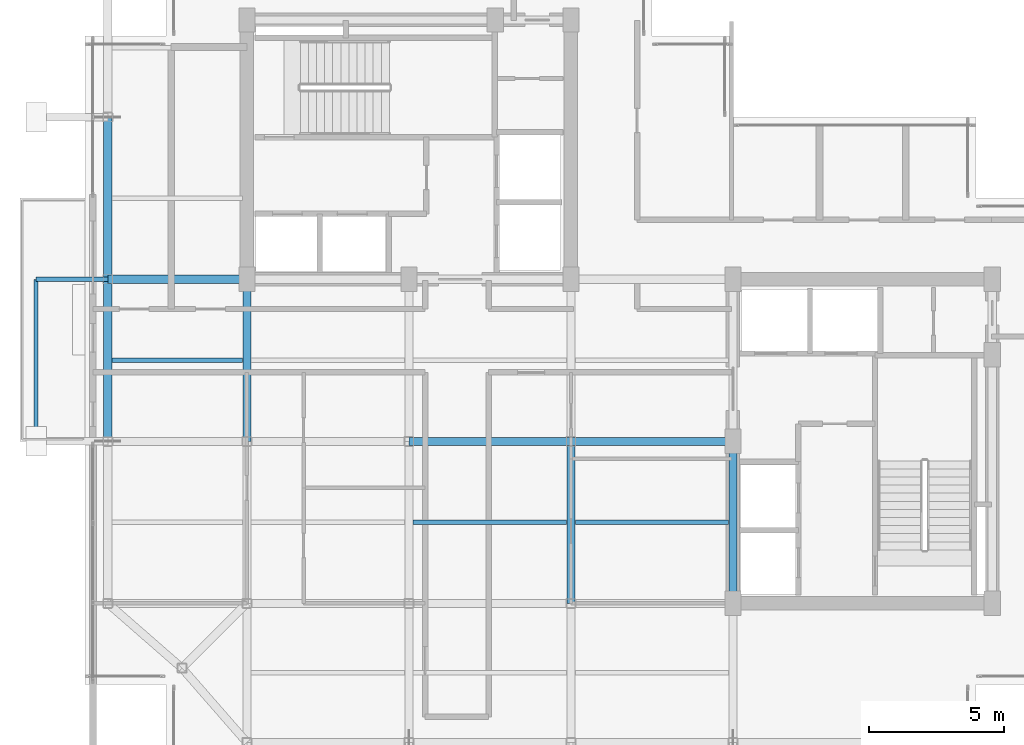
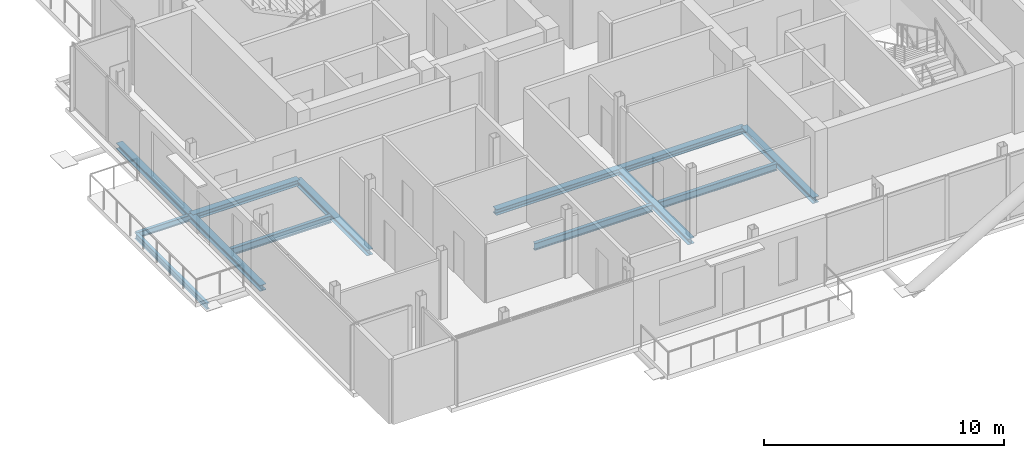
# One storey, part 6 of 19: 13 beams.
"""IFC4 building model written with IfcOpenShell, lengths in metres."""

import ifcopenshell
import ifcopenshell.guid

model = None  # the IFC model being written
_history = None  # IfcOwnerHistory: only IFC2X3 demands one
_inside = {}  # id of a spatial element -> (the spatial element, [elements in it])
_under = {}  # id of a project, library or spatial element -> (it, [spatial elements below it])
_declared = {}  # id of a project -> (the project, [libraries it declares])
_typed = {}  # id of a type object -> (the type object, [elements of that type])
_made_of = {}  # id of a material, layer set ... -> (it, [elements and type objects made of it])


def new_model(schema):
    """Start an empty IFC model of exactly this schema.

    Asked for "IFC4X3", IfcOpenShell would pick the latest addendum, in which some entities
    have other attributes; the version numbers below select the first issue.
    IFC2X3 requires an IfcOwnerHistory on every rooted entity: one is made here for all.
    """
    global model, _history
    if schema == "IFC4X3":
        model = ifcopenshell.file(schema_version=(4, 3, 0, 0))
    else:
        model = ifcopenshell.file(schema=schema)
    _inside.clear()
    _under.clear()
    _declared.clear()
    _typed.clear()
    _made_of.clear()
    _history = None
    if model.schema == "IFC2X3":
        org = make("IfcOrganization", Name="unknown")
        user = make(
            "IfcPersonAndOrganization",
            ThePerson=make("IfcPerson", FamilyName="unknown"),
            TheOrganization=org,
        )
        app = make(
            "IfcApplication",
            ApplicationDeveloper=org,
            Version="unknown",
            ApplicationFullName="unknown",
            ApplicationIdentifier="unknown",
        )
        _history = make(
            "IfcOwnerHistory",
            OwningUser=user,
            OwningApplication=app,
            ChangeAction="ADDED",
            CreationDate=0,
        )
    return model


def make(cls, **values):
    """One entity of the class cls with the attributes given. An attribute that is None is left unset."""
    return model.create_entity(
        cls, **{name: value for name, value in values.items() if value is not None}
    )


def rooted(cls, **values):
    """An entity with a GlobalId (a new one), such as an element, a storey or a relation."""
    return make(cls, GlobalId=ifcopenshell.guid.new(), OwnerHistory=_history, **values)


def si_unit(unit_type, name, prefix=None):
    """IfcSIUnit, for example si_unit("LENGTHUNIT", "METRE", prefix="MILLI")."""
    return make("IfcSIUnit", UnitType=unit_type, Prefix=prefix, Name=name)


def assignment(units):
    """IfcUnitAssignment: the units of a project."""
    return None if units is None else make("IfcUnitAssignment", Units=units)


def point(xyz):
    """IfcCartesianPoint."""
    return None if xyz is None else make("IfcCartesianPoint", Coordinates=xyz)


def direction(xyz):
    """IfcDirection."""
    return None if xyz is None else make("IfcDirection", DirectionRatios=xyz)


def frame(location, z_axis=None, x_axis=None):
    """IfcAxis2Placement3D, a coordinate frame: its origin and axes. An axis left out is left unset."""
    return make(
        "IfcAxis2Placement3D",
        Location=point(location),
        Axis=direction(z_axis),
        RefDirection=direction(x_axis),
    )


def frame_2d(location, x_axis=None):
    """IfcAxis2Placement2D, a coordinate frame in the plane: its origin and x axis."""
    return make(
        "IfcAxis2Placement2D", Location=point(location), RefDirection=direction(x_axis)
    )


def origin():
    """The frame at (0, 0, 0) with its axes left unset."""
    return frame((0.0, 0.0, 0.0))


def origin_2d():
    """The frame at (0, 0) in the plane with its x axis left unset."""
    return frame_2d((0.0, 0.0))


def place(relative_to, where):
    """IfcLocalPlacement: puts the frame where relative to a parent placement (None: the world)."""
    return make(
        "IfcLocalPlacement", PlacementRelTo=relative_to, RelativePlacement=where
    )


def context(
    kind, dimensions, precision=None, world=None, true_north=None, identifier=None
):
    """IfcGeometricRepresentationContext, for example the 3D "Model" context."""
    return make(
        "IfcGeometricRepresentationContext",
        ContextIdentifier=identifier,
        ContextType=kind,
        CoordinateSpaceDimension=dimensions,
        Precision=precision,
        WorldCoordinateSystem=world,
        TrueNorth=true_north,
    )


def subcontext(parent, identifier, kind, view, scale=None):
    """IfcGeometricRepresentationSubContext, for example "Body" below "Model"."""
    return make(
        "IfcGeometricRepresentationSubContext",
        ContextIdentifier=identifier,
        ContextType=kind,
        ParentContext=parent,
        TargetScale=scale,
        TargetView=view,
    )


def project(units=None, contexts=None):
    """IfcProject with its units and contexts."""
    return rooted(
        "IfcProject",
        Name="project",
        RepresentationContexts=contexts,
        UnitsInContext=assignment(units),
    )


def spatial(cls, under=None, at=None, **own):
    """A site, building, storey or space (cls), placed at a placement, below another one or the project."""
    s = rooted(cls, ObjectPlacement=at, **own)
    if under is not None:
        _under.setdefault(under.id(), (under, []))[1].append(s)
    return s


def profile(cls, at=None, kind="AREA", **sizes):
    """A parametric profile (cls). Its sizes go by their IFC names, for example OverallWidth=200.0."""
    return make(cls, ProfileType=kind, Position=at, **sizes)


def i_section(**sizes):
    """IfcIShapeProfileDef."""
    return profile("IfcIShapeProfileDef", **sizes)


def extrude(swept, where, along, depth):
    """IfcExtrudedAreaSolid: the profile swept, set in the frame where, extruded along a direction by depth."""
    return make(
        "IfcExtrudedAreaSolid",
        SweptArea=swept,
        Position=where,
        ExtrudedDirection=direction(along),
        Depth=depth,
    )


def shape(context_of_items, identifier, shape_type, items):
    """IfcShapeRepresentation: the items that make up one representation, for example the "Body"."""
    return make(
        "IfcShapeRepresentation",
        ContextOfItems=context_of_items,
        RepresentationIdentifier=identifier,
        RepresentationType=shape_type,
        Items=items,
    )


def material(Name=None, Category=None):
    """IfcMaterial."""
    return make("IfcMaterial", Name=Name, Category=Category)


def material_profile(
    of_material, cross_section, Name=None, Category=None, Priority=None
):
    """IfcMaterialProfile: a cross section and its material."""
    return make(
        "IfcMaterialProfile",
        Name=Name,
        Material=of_material,
        Profile=cross_section,
        Priority=Priority,
        Category=Category,
    )


def profile_set(profiles, Name=None, composite=None):
    """IfcMaterialProfileSet."""
    return make(
        "IfcMaterialProfileSet",
        Name=Name,
        MaterialProfiles=profiles,
        CompositeProfile=composite,
    )


def made_of(thing, what):
    """Note that an element or type object is made of a material, layer set ...; save() writes the relation."""
    if what is not None:
        _made_of.setdefault(what.id(), (what, []))[1].append(thing)
    return thing


def type_object(cls, material=None, **own):
    """A type object (cls), such as IfcWallType, which elements share."""
    return made_of(rooted(cls, **own), material)


def element(
    cls,
    number,
    at=None,
    inside=None,
    cuts=None,
    type_object=None,
    material=None,
    context=None,
    identifier="Body",
    shape_type=None,
    held_by="IfcProductDefinitionShape",
    body=None,
    shapes=None,
    **own,
):
    """One element of the class cls, such as IfcWall. Its Tag is "e" and its number.

    at: its placement. inside: the storey or other place that contains it. cuts: it is an
    opening in that element (IfcRelVoidsElement). A single representation is given by context,
    identifier, shape_type and body (its items); several are given by shapes. held_by: the class
    of the entity that holds the representations. save() writes the other relations.
    """
    e = rooted(cls, Tag="e%d" % number, ObjectPlacement=at, **own)
    if body is not None:
        shapes = [shape(context, identifier, shape_type, body)]
    if shapes is not None:
        e.Representation = make(held_by, Representations=shapes)
    if inside is not None:
        _inside.setdefault(inside.id(), (inside, []))[1].append(e)
    if cuts is not None:
        rooted(
            "IfcRelVoidsElement", RelatingBuildingElement=cuts, RelatedOpeningElement=e
        )
    if type_object is not None:
        _typed.setdefault(type_object.id(), (type_object, []))[1].append(e)
    return made_of(e, material)


def aggregate(whole, parts):
    """IfcRelAggregates: a whole, such as a stair, and the parts it consists of."""
    return rooted("IfcRelAggregates", RelatingObject=whole, RelatedObjects=parts)


def save(model, path):
    """Write the relations noted so far, then the file.

    IfcRelAggregates (storeys below a building ...), IfcRelContainedInSpatialStructure (elements
    in a storey), IfcRelDefinesByType, IfcRelAssociatesMaterial and IfcRelDeclares: one each for
    every whole, place, type object, material and project.
    """
    for whole, parts in _under.values():
        aggregate(whole, parts)
    for where, things in _inside.values():
        rooted(
            "IfcRelContainedInSpatialStructure",
            RelatedElements=things,
            RelatingStructure=where,
        )
    for kind, things in _typed.values():
        rooted("IfcRelDefinesByType", RelatedObjects=things, RelatingType=kind)
    for what, things in _made_of.values():
        rooted("IfcRelAssociatesMaterial", RelatedObjects=things, RelatingMaterial=what)
    for by, libraries in _declared.values():
        rooted("IfcRelDeclares", RelatingContext=by, RelatedDefinitions=libraries)
    model.write(path)


model = new_model("IFC4")

# Units and contexts
model_context = context("Model", 3, precision=1e-05, world=origin(), true_north=direction((0.0, 1.0)))
body_context = subcontext(model_context, "Body", "Model", "MODEL_VIEW")
ifc_project = project(units=[si_unit("LENGTHUNIT", "METRE"), si_unit("AREAUNIT", "SQUARE_METRE"), si_unit("VOLUMEUNIT", "CUBIC_METRE"), si_unit("PLANEANGLEUNIT", "RADIAN"), si_unit("MASSUNIT", "GRAM", prefix="KILO"), si_unit("THERMODYNAMICTEMPERATUREUNIT", "KELVIN"), si_unit("POWERUNIT", "WATT")], contexts=[model_context])

# Site, building, storey
site_placement = place(None, origin())
site = spatial("IfcSite", under=ifc_project, at=site_placement, CompositionType="ELEMENT")
building_placement = place(site_placement, origin())
building = spatial("IfcBuilding", under=site, at=building_placement, Name="Svarakhadi Broadcast Tower", CompositionType="ELEMENT")
storey_placement = place(building_placement, frame((0.0, 0.0, 239.699951171875)))
storey = spatial("IfcBuildingStorey", under=building, at=storey_placement, Name="L59", CompositionType="ELEMENT", Elevation=239.699951171875)

# Beams
ifc_material = material(Name="Steel S355J2 (IS 2062 E350C)", Category="steel")
ifc_material_profile_1 = material_profile(ifc_material, i_section(OverallWidth=0.169921875, OverallDepth=0.360107421875, WebThickness=0.008056640625, FlangeThickness=0.0126953125, FilletRadius=0.01806640625, at=origin_2d()), Name="NPB 360x170x57")
ifc_profile_set_1 = profile_set([ifc_material_profile_1], Name="Steel S355J2 (IS 2062 E350C)")
beam_type_1 = type_object("IfcBeamType", Name="Beam_NPB360", PredefinedType="BEAM", material=ifc_profile_set_1)
beam_1_placement = place(storey_placement, frame((1.010009765625, 15.0, -0.3798828125), z_axis=(1.0, 0.0, 0.0), x_axis=(0.0, 1.0, 0.0)))
element("IfcBeam", 1, at=beam_1_placement, inside=storey, type_object=beam_type_1, Name="L59 Secondary Composite Beam SB002", PredefinedType="BEAM", context=body_context, shape_type="SweptSolid", body=[
    extrude(i_section(OverallWidth=0.169921875, OverallDepth=0.360107421875, WebThickness=0.008056640625, FlangeThickness=0.0126953125, FilletRadius=0.01806640625, at=origin_2d()), origin(), (0.0, 0.0, 1.0), 4.830078125),
])
for number, where, z_axis, x_axis, name in (
    (2, (12.159912109375, 9.0, -0.3798828125), (1.0, 0.0, 0.0), (0.0, 1.0, 0.0), "L59 Secondary Composite Beam SB009"),
    (3, (18.159912109375, 9.0, -0.3798828125), (1.0, 0.0, 0.0), (0.0, 1.0, 0.0), "L59 Secondary Composite Beam SB012"),
):
    element("IfcBeam", number, at=place(storey_placement, frame(where, z_axis=z_axis, x_axis=x_axis)), inside=storey, type_object=beam_type_1, Name=name, PredefinedType="BEAM", context=body_context, shape_type="SweptSolid", body=[
        extrude(i_section(OverallWidth=0.169921875, OverallDepth=0.360107421875, WebThickness=0.008056640625, FlangeThickness=0.0126953125, FilletRadius=0.01806640625, at=origin_2d()), origin(), (0.0, 0.0, 1.0), 5.68017578125),
    ])
ifc_material_profile_2 = material_profile(ifc_material, i_section(OverallWidth=0.300048828125, OverallDepth=0.300048828125, WebThickness=0.010986328125, FlangeThickness=0.01904296875, FilletRadius=0.027099609375, at=origin_2d()), Name="WPB 300x300x117")
ifc_profile_set_2 = profile_set([ifc_material_profile_2], Name="Steel S355J2 (IS 2062 E350C)")
beam_type_2 = type_object("IfcBeamType", Name="Girder_WPB300", PredefinedType="USERDEFINED", material=ifc_profile_set_2)
for number, where, z_axis, x_axis, name in (
    (4, (12.0, 12.0, -0.349853515625), (1.0, 0.0, 0.0), (0.0, 1.0, 0.0), "L59 Primary E-W Girder G016"),
    (5, (18.0, 12.0, -0.349853515625), (1.0, 0.0, 0.0), (0.0, 1.0, 0.0), "L59 Primary E-W Girder G017"),
):
    element("IfcBeam", number, at=place(storey_placement, frame(where, z_axis=z_axis, x_axis=x_axis)), inside=storey, type_object=beam_type_2, Name=name, ObjectType="GIRDER", PredefinedType="USERDEFINED", context=body_context, shape_type="SweptSolid", body=[
        extrude(i_section(OverallWidth=0.300048828125, OverallDepth=0.300048828125, WebThickness=0.010986328125, FlangeThickness=0.01904296875, FilletRadius=0.027099609375, at=origin_2d()), origin(), (0.0, 0.0, 1.0), 6.0),
    ])
beam_2_placement = place(storey_placement, frame((0.85009765625, 18.0, -0.349853515625), z_axis=(1.0, 0.0, 0.0), x_axis=(0.0, 1.0, 0.0)))
element("IfcBeam", 6, at=beam_2_placement, inside=storey, type_object=beam_type_2, Name="L59 Primary E-W Girder G018", ObjectType="GIRDER", PredefinedType="USERDEFINED", context=body_context, shape_type="SweptSolid", body=[
    extrude(i_section(OverallWidth=0.300048828125, OverallDepth=0.300048828125, WebThickness=0.010986328125, FlangeThickness=0.01904296875, FilletRadius=0.027099609375, at=origin_2d()), origin(), (0.0, 0.0, 1.0), 5.14990234375),
])
for number, where, z_axis, x_axis, name in (
    (7, (0.85009765625, 12.0, -0.349853515625), (0.0, 1.0, 0.0), (-1.0, 0.0, 0.0), "L59 Primary N-S Girder G029"),
    (8, (0.85009765625, 18.0, -0.349853515625), (0.0, 1.0, 0.0), (-1.0, 0.0, 0.0), "L59 Primary N-S Girder G030"),
    (9, (6.0, 12.0, -0.349853515625), (0.0, 1.0, 0.0), (-1.0, 0.0, 0.0), "L59 Primary N-S Girder G034"),
    (10, (18.0, 6.0, -0.349853515625), (0.0, 1.0, 0.0), (-1.0, 0.0, 0.0), "L59 Primary N-S Girder G040"),
    (11, (24.0, 6.0, -0.349853515625), (0.0, 1.0, 0.0), (-1.0, 0.0, 0.0), "L59 Primary N-S Girder G044"),
):
    element("IfcBeam", number, at=place(storey_placement, frame(where, z_axis=z_axis, x_axis=x_axis)), inside=storey, type_object=beam_type_2, Name=name, ObjectType="GIRDER", PredefinedType="USERDEFINED", context=body_context, shape_type="SweptSolid", body=[
        extrude(i_section(OverallWidth=0.300048828125, OverallDepth=0.300048828125, WebThickness=0.010986328125, FlangeThickness=0.01904296875, FilletRadius=0.027099609375, at=origin_2d()), origin(), (0.0, 0.0, 1.0), 6.0),
    ])
ifc_material_profile_3 = material_profile(ifc_material, i_section(OverallWidth=0.14990234375, OverallDepth=0.300048828125, WebThickness=0.007080078125, FlangeThickness=0.0107421875, FilletRadius=0.014892578125, at=origin_2d()), Name="NPB 300x150x37")
ifc_profile_set_3 = profile_set([ifc_material_profile_3], Name="Steel S355J2 (IS 2062 E350C)")
beam_type_3 = type_object("IfcBeamType", Name="Spandrel_NPB300", PredefinedType="SPANDREL", material=ifc_profile_set_3)
beam_3_placement = place(storey_placement, frame((0.85009765625, 18.0, -0.375), z_axis=(-1.0, 0.0, 0.0), x_axis=(0.0, -1.0, 0.0)))
element("IfcBeam", 12, at=beam_3_placement, inside=storey, type_object=beam_type_3, Name="L59 Balcony Cantilever Bracket 2B", PredefinedType="SPANDREL", context=body_context, shape_type="SweptSolid", body=[
    extrude(i_section(OverallWidth=0.14990234375, OverallDepth=0.300048828125, WebThickness=0.007080078125, FlangeThickness=0.0107421875, FilletRadius=0.014892578125, at=origin_2d()), origin(), (0.0, 0.0, 1.0), 2.650146484375),
])
beam_4_placement = place(storey_placement, frame((-1.800048828125, 12.0, -0.375), z_axis=(0.0, 1.0, 0.0), x_axis=(-1.0, 0.0, 0.0)))
element("IfcBeam", 13, at=beam_4_placement, inside=storey, type_object=beam_type_3, Name="L59 Balcony Outer Spandrel 2F", PredefinedType="SPANDREL", context=body_context, shape_type="SweptSolid", body=[
    extrude(i_section(OverallWidth=0.14990234375, OverallDepth=0.300048828125, WebThickness=0.007080078125, FlangeThickness=0.0107421875, FilletRadius=0.014892578125, at=origin_2d()), origin(), (0.0, 0.0, 1.0), 6.0),
])

save(model, "model.ifc")
